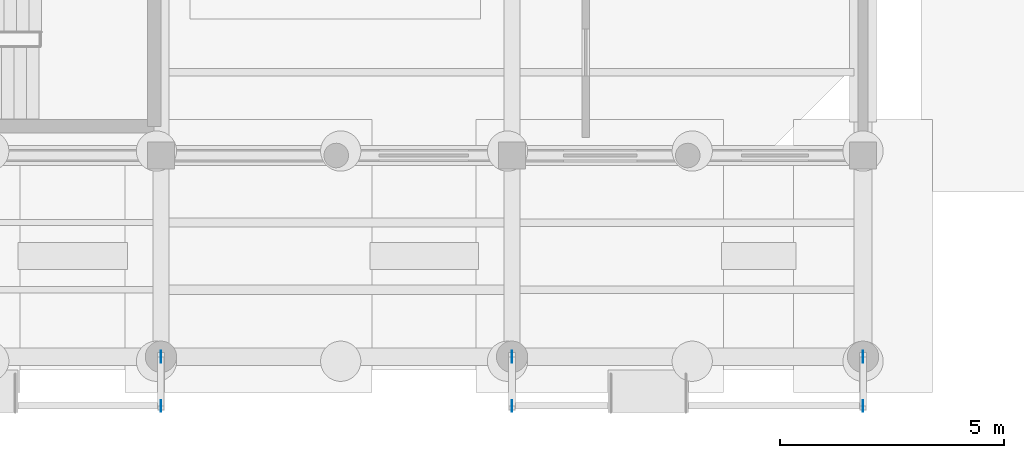
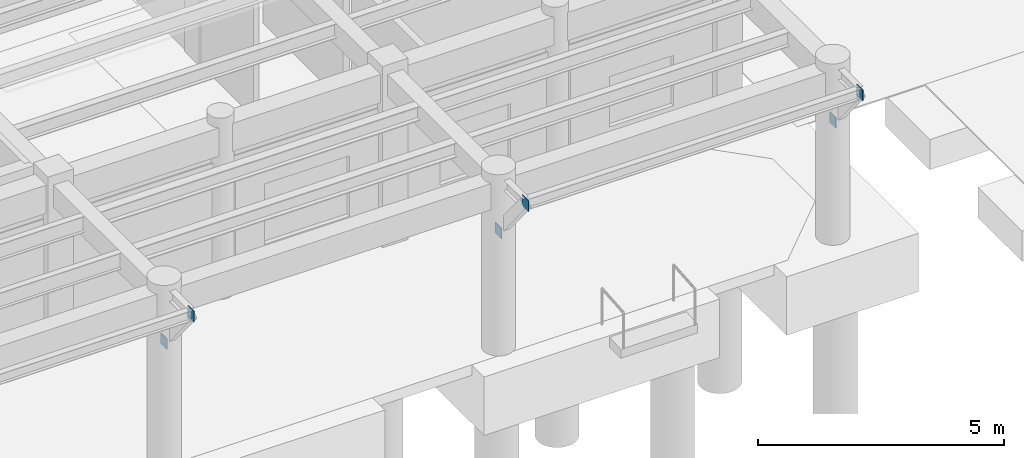
# One storey, part 21 of 41: 6 plates.
"""IFC4 building model written with IfcOpenShell, lengths in metres."""

from ifc_helpers import new_model, si_unit, direction, frame, origin, origin_2d, place, context, subcontext, project, spatial, rectangle, extrude, material, layer, layer_set, type_object, element, save


model = new_model("IFC4")

# Units and contexts
model_context = context("Model", 3, precision=1e-05, world=origin(), true_north=direction((0.0, 1.0)))
body_context = subcontext(model_context, "Body", "Model", "MODEL_VIEW")
ifc_project = project(units=[si_unit("LENGTHUNIT", "METRE"), si_unit("AREAUNIT", "SQUARE_METRE"), si_unit("VOLUMEUNIT", "CUBIC_METRE"), si_unit("PLANEANGLEUNIT", "RADIAN"), si_unit("MASSUNIT", "GRAM", prefix="KILO")], contexts=[model_context])

# Site, building, storey
site_placement = place(None, origin())
site = spatial("IfcSite", under=ifc_project, at=site_placement, CompositionType="ELEMENT")
building_placement = place(site_placement, origin())
building = spatial("IfcBuilding", under=site, at=building_placement, Name="Candilejo Ridge Gondola Terminal", CompositionType="ELEMENT")
storey_placement = place(building_placement, origin())
storey = spatial("IfcBuildingStorey", under=building, at=storey_placement, Name="L00", CompositionType="ELEMENT", Elevation=0.0)

# Plates
ifc_material = material(Name="Steel ASTM A572 Grade 50", Category="steel")
ifc_layer = layer(ifc_material, 0.01611328125)
ifc_layer_set = layer_set([ifc_layer], Name="STR-NODE-PLATE-260X260X16")
plate_type = type_object("IfcPlateType", Name="STR-NODE-PLATE-260X260X16", PredefinedType="USERDEFINED", material=ifc_layer_set)
for number, where, z_axis, x_axis, name in (
    (1, (28.0, 6.300048828125, 2.7412109375), (0.0, 0.0, 1.0), (1.0, 0.0, 0.0), "Canopy strut gusset plate 007"),
    (2, (28.0, 5.199951171875, 4.0908203125), (0.0, 0.0, 1.0), (1.0, 0.0, 0.0), "Canopy strut gusset plate 008"),
    (3, (35.85009765625, 6.300048828125, 2.7412109375), (0.0, 0.0, 1.0), (1.0, 0.0, 0.0), "Canopy strut gusset plate 009"),
    (4, (35.85009765625, 5.199951171875, 4.0908203125), (0.0, 0.0, 1.0), (1.0, 0.0, 0.0), "Canopy strut gusset plate 010"),
    (5, (43.699951171875, 6.300048828125, 2.7412109375), (0.0, 0.0, 1.0), (1.0, 0.0, 0.0), "Canopy strut gusset plate 011"),
    (6, (43.699951171875, 5.199951171875, 4.0908203125), (0.0, 0.0, 1.0), (1.0, 0.0, 0.0), "Canopy strut gusset plate 012"),
):
    element("IfcPlate", number, at=place(storey_placement, frame(where, z_axis=z_axis, x_axis=x_axis)), inside=storey, type_object=plate_type, Name=name, ObjectType="NODE PLATE", PredefinedType="USERDEFINED", context=body_context, shape_type="SweptSolid", body=[
        extrude(rectangle(XDim=0.01611328125, YDim=0.260009765625, at=origin_2d()), origin(), (0.0, 0.0, 1.0), 0.260009765625),
    ])

save(model, "model.ifc")
